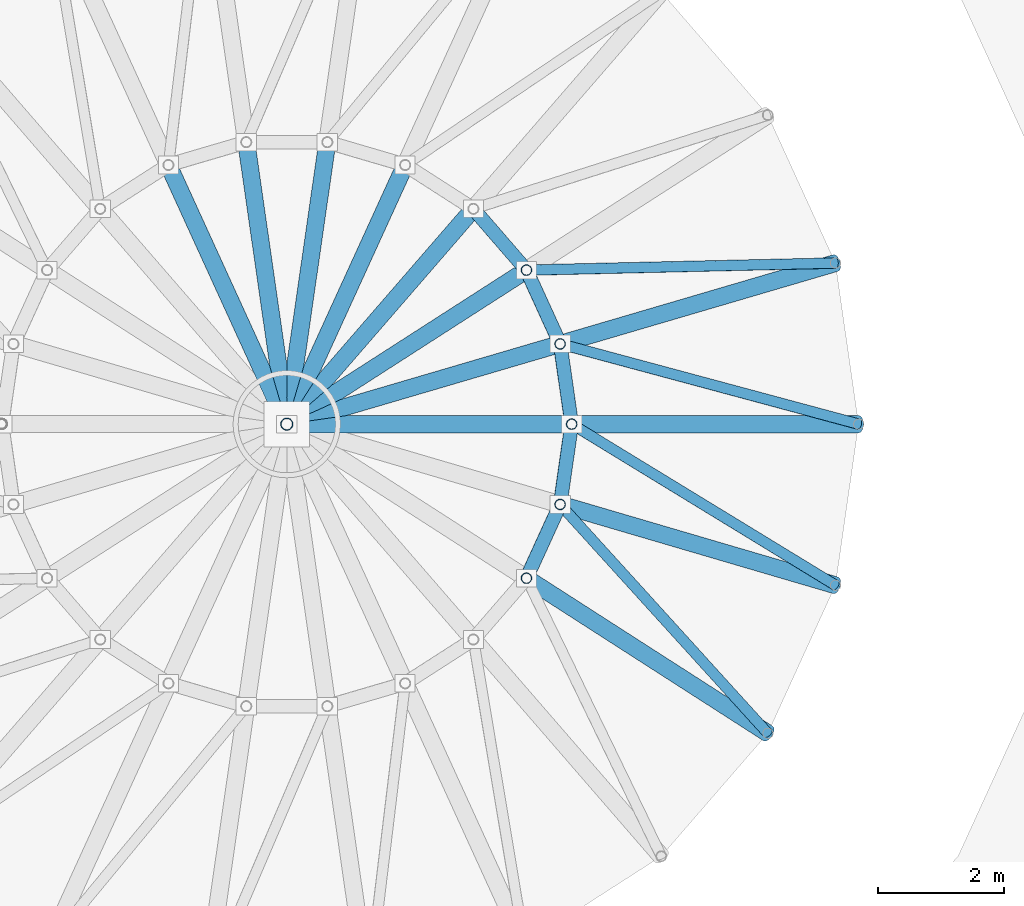
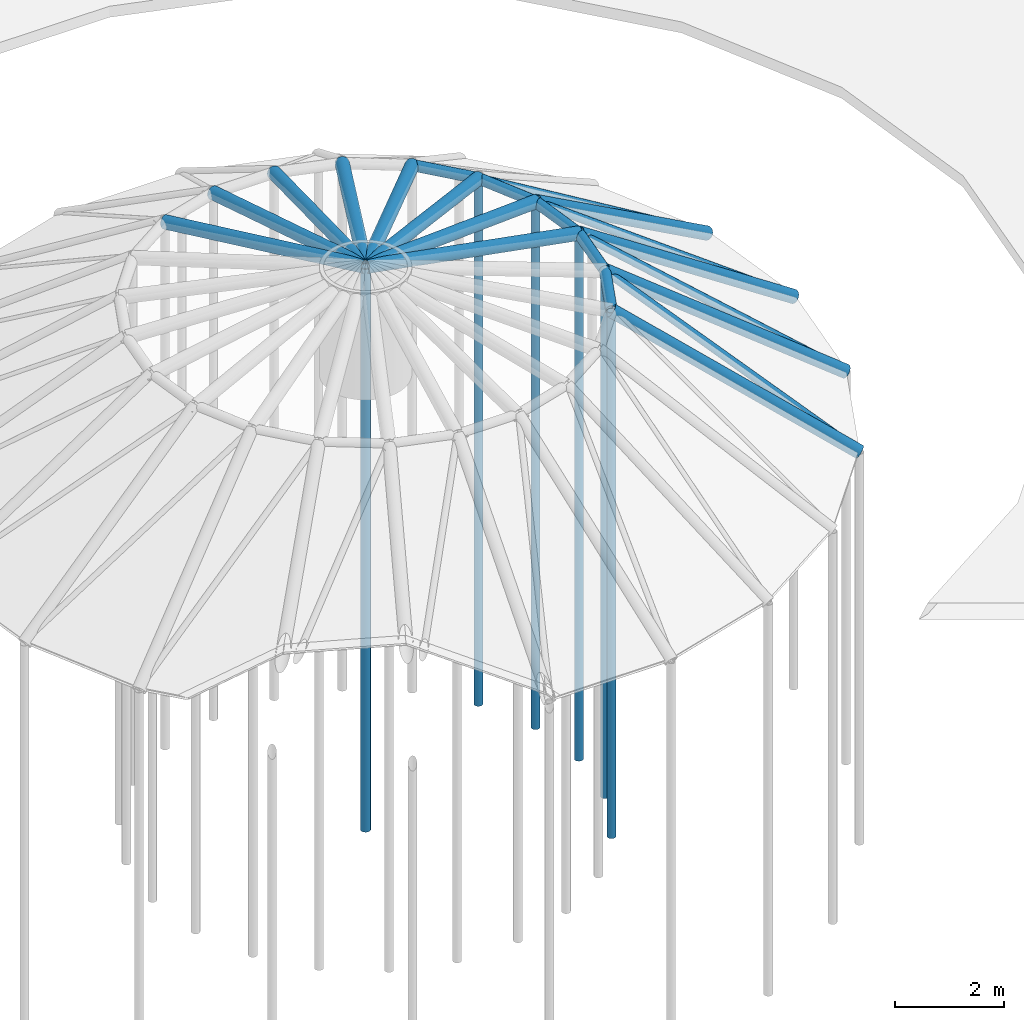
# One storey, part 3 of 8: 17 beams, 10 members.
"""IFC4 building model written with IfcOpenShell, lengths in metres."""

from ifc_helpers import new_model, si_unit, direction, frame, origin, origin_2d, place, context, subcontext, project, spatial, hollow_circle, extrude, material, material_profile, profile_set, type_object, element, save


model = new_model("IFC4")

# Units and contexts
model_context = context("Model", 3, precision=1e-05, world=origin(), true_north=direction((0.0, 1.0)))
body_context = subcontext(model_context, "Body", "Model", "MODEL_VIEW")
ifc_project = project(units=[si_unit("LENGTHUNIT", "METRE"), si_unit("AREAUNIT", "SQUARE_METRE"), si_unit("VOLUMEUNIT", "CUBIC_METRE"), si_unit("PLANEANGLEUNIT", "RADIAN"), si_unit("MASSUNIT", "GRAM", prefix="KILO")], contexts=[model_context])

# Site, building, storey
site_placement = place(None, origin())
site = spatial("IfcSite", under=ifc_project, at=site_placement, CompositionType="ELEMENT")
building_placement = place(site_placement, origin())
building = spatial("IfcBuilding", under=site, at=building_placement, Name="Pelvatis Terrace Science Centre", CompositionType="ELEMENT")
storey_placement = place(building_placement, frame((0.0, 0.0, 28.800048828125)))
storey = spatial("IfcBuildingStorey", under=building, at=storey_placement, Name="RF", CompositionType="ELEMENT", Elevation=28.800048828125)

# Beams
ifc_material_1 = material(Name="Structural steel S355", Category="steel")
ifc_material_profile_1 = material_profile(ifc_material_1, hollow_circle(Radius=0.136474609375, WallThickness=0.010009765625, at=origin_2d()), Name="CHS 273.0x10.0")
ifc_profile_set_1 = profile_set([ifc_material_profile_1], Name="Structural steel S355")
beam_type_1 = type_object("IfcBeamType", Name="BM-DOME-CHS273", PredefinedType="BEAM", material=ifc_profile_set_1)
beam_1_placement = place(storey_placement, frame((118.263671875, 85.800048828125, -1.447265625), z_axis=(-0.833904939905, 0.0, 0.551908100323), x_axis=(0.0, -1.0, 0.0)))
element("IfcBeam", 1, at=beam_1_placement, inside=storey, type_object=beam_type_1, Name="Planetarium meridional dome rib 01.3", PredefinedType="BEAM", context=body_context, shape_type="SweptSolid", body=[
    extrude(hollow_circle(Radius=0.136474609375, WallThickness=0.010009765625, at=origin_2d()), origin(), (0.0, 0.0, 1.0), 5.454345703125),
])
beam_2_placement = place(storey_placement, frame((113.71533203125, 85.800048828125, 1.56298828125), z_axis=(-0.983253437061, 0.0, 0.182243459435), x_axis=(0.0, -1.0, 0.0)))
element("IfcBeam", 2, at=beam_2_placement, inside=storey, type_object=beam_type_1, Name="Planetarium meridional dome rib 01.4", PredefinedType="BEAM", context=body_context, shape_type="SweptSolid", body=[
    extrude(hollow_circle(Radius=0.136474609375, WallThickness=0.010009765625, at=origin_2d()), origin(), (0.0, 0.0, 1.0), 4.59228515625),
])
beam_3_placement = place(storey_placement, frame((117.896484375, 88.353515625, -1.447265625), z_axis=(-0.800117514177, -0.234954787799, 0.551913227961), x_axis=(0.281753630104, -0.959486785695, 0.0)))
element("IfcBeam", 3, at=beam_3_placement, inside=storey, type_object=beam_type_1, Name="Planetarium meridional dome rib 02.3", PredefinedType="BEAM", context=body_context, shape_type="SweptSolid", body=[
    extrude(hollow_circle(Radius=0.136474609375, WallThickness=0.010009765625, at=origin_2d()), origin(), (0.0, 0.0, 1.0), 5.4541015625),
])
for number, where, z_axis, x_axis, name in (
    (4, (113.532470703125, 87.072021484375, 1.56298828125), (-0.943434743403, -0.276980447038, 0.182243564769), (0.281697924561, -0.959503141891, 0.0), "Planetarium meridional dome rib 02.4"),
    (5, (112.99853515625, 88.2412109375, 1.56298828125), (-0.82716924602, -0.531580775818, 0.182244114362), (0.540634613019, -0.841257520148, 0.0), "Planetarium meridional dome rib 03.4"),
    (6, (112.156982421875, 89.21240234375, 1.56298828125), (-0.643919949222, -0.74307043678, 0.182245507425), (0.755726545812, -0.654887309356, 0.0), "Planetarium meridional dome rib 04.4"),
    (7, (111.07568359375, 89.907470703125, 1.56298828125), (-0.408446861698, -0.894404529637, 0.18224077078), (0.909637375903, -0.415403231043, 0.0), "Planetarium meridional dome rib 05.4"),
    (8, (109.842529296875, 90.26953125, 1.56298828125), (-0.139923839948, -0.973246860912, 0.182241232272), (0.989822578424, -0.142306933217, 0.0), "Planetarium meridional dome rib 06.4"),
    (9, (108.557373046875, 90.26953125, 1.56298828125), (0.139923839948, -0.973246860912, 0.182241232272), (0.989822578424, 0.142306933217, 0.0), "Planetarium meridional dome rib 07.4"),
    (10, (107.32421875, 89.907470703125, 1.56298828125), (0.408446861698, -0.894404529637, 0.18224077078), (0.909637375903, 0.415403231043, 0.0), "Planetarium meridional dome rib 08.4"),
):
    element("IfcBeam", number, at=place(storey_placement, frame(where, z_axis=z_axis, x_axis=x_axis)), inside=storey, type_object=beam_type_1, Name=name, PredefinedType="BEAM", context=body_context, shape_type="SweptSolid", body=[
        extrude(hollow_circle(Radius=0.136474609375, WallThickness=0.010009765625, at=origin_2d()), origin(), (0.0, 0.0, 1.0), 4.59228515625),
    ])
beam_4_placement = place(storey_placement, frame((116.824951171875, 80.89990234375, -1.447265625), z_axis=(-0.701537590524, 0.4508317879, 0.551901900795), x_axis=(-0.540624654111, -0.841263920163, 0.0)))
element("IfcBeam", 11, at=beam_4_placement, inside=storey, type_object=beam_type_1, Name="Planetarium meridional dome rib 21.3", PredefinedType="BEAM", context=body_context, shape_type="SweptSolid", body=[
    extrude(hollow_circle(Radius=0.136474609375, WallThickness=0.010009765625, at=origin_2d()), origin(), (0.0, 0.0, 1.0), 5.454345703125),
])
beam_5_placement = place(storey_placement, frame((117.896484375, 83.24658203125, -1.447265625), z_axis=(-0.800125928347, 0.234912496334, 0.551919031973), x_axis=(-0.281704212601, -0.95950129578, 0.0)))
element("IfcBeam", 12, at=beam_5_placement, inside=storey, type_object=beam_type_1, Name="Planetarium meridional dome rib 22.3", PredefinedType="BEAM", context=body_context, shape_type="SweptSolid", body=[
    extrude(hollow_circle(Radius=0.136474609375, WallThickness=0.010009765625, at=origin_2d()), origin(), (0.0, 0.0, 1.0), 5.4541015625),
])
ifc_material_2 = material(Name="Structural steel S355", Category="steel")
ifc_material_profile_2 = material_profile(ifc_material_2, hollow_circle(Radius=0.109619140625, WallThickness=0.008056640625, at=origin_2d()), Name="CHS 219.1x8.0")
ifc_profile_set_2 = profile_set([ifc_material_profile_2], Name="Structural steel S355")
beam_type_2 = type_object("IfcBeamType", Name="BM-HOOP-CHS219", PredefinedType="BEAM", material=ifc_profile_set_2)
beam_6_placement = place(storey_placement, frame((113.71533203125, 85.800048828125, 1.56298828125), z_axis=(-0.142299033002, 0.989823714207, 0.0), x_axis=(-0.989823714207, -0.142299033002, 0.0)))
element("IfcBeam", 13, at=beam_6_placement, inside=storey, type_object=beam_type_2, Name="Planetarium dome hoop ring 4.01", PredefinedType="BEAM", context=body_context, shape_type="SweptSolid", body=[
    extrude(hollow_circle(Radius=0.109619140625, WallThickness=0.008056640625, at=origin_2d()), origin(), (0.0, 0.0, 1.0), 1.28515625),
])
beam_7_placement = place(storey_placement, frame((113.532470703125, 87.072021484375, 1.56298828125), z_axis=(-0.415405108743, 0.909636518413, 0.0), x_axis=(-0.909636518413, -0.415405108743, 0.0)))
element("IfcBeam", 14, at=beam_7_placement, inside=storey, type_object=beam_type_2, Name="Planetarium dome hoop ring 4.02", PredefinedType="BEAM", context=body_context, shape_type="SweptSolid", body=[
    extrude(hollow_circle(Radius=0.109619140625, WallThickness=0.008056640625, at=origin_2d()), origin(), (0.0, 0.0, 1.0), 1.285400390625),
])
for number, where, z_axis, x_axis, name in (
    (15, (112.99853515625, 88.2412109375, 1.56298828125), (-0.654865440882, 0.755745495744, 0.0), (-0.755745495744, -0.654865440882, 0.0), "Planetarium dome hoop ring 4.03"),
    (16, (112.99853515625, 83.35888671875, 1.56298828125), (0.415476893128, 0.909603733104, 0.0), (-0.909603733104, 0.415476893128, 0.0), "Planetarium dome hoop ring 4.21"),
):
    element("IfcBeam", number, at=place(storey_placement, frame(where, z_axis=z_axis, x_axis=x_axis)), inside=storey, type_object=beam_type_2, Name=name, PredefinedType="BEAM", context=body_context, shape_type="SweptSolid", body=[
        extrude(hollow_circle(Radius=0.109619140625, WallThickness=0.008056640625, at=origin_2d()), origin(), (0.0, 0.0, 1.0), 1.28515625),
    ])
beam_8_placement = place(storey_placement, frame((113.532470703125, 84.52783203125, 1.56298828125), z_axis=(0.142272278362, 0.989827560138, 0.0), x_axis=(-0.989827560138, 0.142272278362, 0.0)))
element("IfcBeam", 17, at=beam_8_placement, inside=storey, type_object=beam_type_2, Name="Planetarium dome hoop ring 4.22", PredefinedType="BEAM", context=body_context, shape_type="SweptSolid", body=[
    extrude(hollow_circle(Radius=0.109619140625, WallThickness=0.008056640625, at=origin_2d()), origin(), (0.0, 0.0, 1.0), 1.285400390625),
])

# Members
ifc_material_3 = material(Name="Structural steel S355", Category="steel")
ifc_material_profile_3 = material_profile(ifc_material_3, hollow_circle(Radius=0.084228515625, WallThickness=0.00634765625, at=origin_2d()), Name="CHS 168.3x6.3")
ifc_profile_set_3 = profile_set([ifc_material_profile_3], Name="Structural steel S355")
member_type_1 = type_object("IfcMemberType", Name="MEM-BRC-CHS168", PredefinedType="BRACE", material=ifc_profile_set_3)
member_1_placement = place(storey_placement, frame((118.263671875, 85.800048828125, -1.447265625), z_axis=(-0.822801325304, 0.22120826177, 0.523512066722), x_axis=(-0.259628545607, -0.965708557643, 0.0)))
element("IfcMember", 18, at=member_1_placement, inside=storey, type_object=member_type_1, Name="Planetarium dome lateral brace 3.01", PredefinedType="BRACE", context=body_context, shape_type="SweptSolid", body=[
    extrude(hollow_circle(Radius=0.084228515625, WallThickness=0.00634765625, at=origin_2d()), origin(), (0.0, 0.0, 1.0), 5.75),
])
for number, where, z_axis, x_axis, name in (
    (19, (117.896484375, 88.353515625, -1.447265625), (-0.851796033613, -0.019530763407, 0.523509375658), (0.02292289545, -0.99973723591, 0.0), "Planetarium dome lateral brace 3.02"),
    (20, (116.824951171875, 80.89990234375, -1.447265625), (-0.572592916019, 0.630930648973, 0.523511097028), (-0.740512541941, -0.672042539746, 0.0), "Planetarium dome lateral brace 3.21"),
):
    element("IfcMember", number, at=place(storey_placement, frame(where, z_axis=z_axis, x_axis=x_axis)), inside=storey, type_object=member_type_1, Name=name, PredefinedType="BRACE", context=body_context, shape_type="SweptSolid", body=[
        extrude(hollow_circle(Radius=0.084228515625, WallThickness=0.00634765625, at=origin_2d()), origin(), (0.0, 0.0, 1.0), 5.750244140625),
    ])
member_2_placement = place(storey_placement, frame((117.896484375, 83.24658203125, -1.447265625), z_axis=(-0.72714201625, 0.444072074504, 0.523511681675), x_axis=(-0.521200039779, -0.853434542619, 0.0)))
element("IfcMember", 21, at=member_2_placement, inside=storey, type_object=member_type_1, Name="Planetarium dome lateral brace 3.22", PredefinedType="BRACE", context=body_context, shape_type="SweptSolid", body=[
    extrude(hollow_circle(Radius=0.084228515625, WallThickness=0.00634765625, at=origin_2d()), origin(), (0.0, 0.0, 1.0), 5.75),
])
ifc_material_4 = material(Name="Structural steel S355", Category="steel")
ifc_material_profile_4 = material_profile(ifc_material_4, hollow_circle(Radius=0.084228515625, WallThickness=0.00634765625, at=origin_2d()), Name="CHS 168.3x6.3")
ifc_profile_set_4 = profile_set([ifc_material_profile_4], Name="Structural steel S355")
member_type_2 = type_object("IfcMemberType", Name="MEM-STR-CHS168", PredefinedType="STRUT", material=ifc_profile_set_4)
for number, where, z_axis, x_axis, name in (
    (22, (113.71533203125, 85.800048828125, -10.199951171875), (0.0, 0.0, 1.0), (1.0, 0.0, 0.0), "Dome arch vertical web post 3.01"),
    (23, (113.532470703125, 87.072021484375, -10.199951171875), (0.0, 0.0, 1.0), (1.0, 0.0, 0.0), "Dome arch vertical web post 3.02"),
    (24, (112.99853515625, 88.2412109375, -10.199951171875), (0.0, 0.0, 1.0), (1.0, 0.0, 0.0), "Dome arch vertical web post 3.03"),
    (25, (112.99853515625, 83.35888671875, -10.199951171875), (0.0, 0.0, 1.0), (1.0, 0.0, 0.0), "Dome arch vertical web post 3.21"),
    (26, (113.532470703125, 84.52783203125, -10.199951171875), (0.0, 0.0, 1.0), (1.0, 0.0, 0.0), "Dome arch vertical web post 3.22"),
):
    element("IfcMember", number, at=place(storey_placement, frame(where, z_axis=z_axis, x_axis=x_axis)), inside=storey, type_object=member_type_2, Name=name, PredefinedType="STRUT", context=body_context, shape_type="SweptSolid", body=[
        extrude(hollow_circle(Radius=0.084228515625, WallThickness=0.00634765625, at=origin_2d()), origin(), (0.0, 0.0, 1.0), 11.762939453125),
    ])
ifc_material_5 = material(Name="Structural steel S355", Category="steel")
ifc_material_profile_5 = material_profile(ifc_material_5, hollow_circle(Radius=0.096923828125, WallThickness=0.008056640625, at=origin_2d()), Name="CHS 193.7x8.0")
ifc_profile_set_5 = profile_set([ifc_material_profile_5], Name="Structural steel S355")
member_type_3 = type_object("IfcMemberType", Name="MEM-STR-CHS194", PredefinedType="STRUT", material=ifc_profile_set_5)
member_3_placement = place(storey_placement, frame((109.199951171875, 85.800048828125, -10.199951171875), z_axis=(0.0, 0.0, 1.0), x_axis=(1.0, 0.0, 0.0)))
element("IfcMember", 27, at=member_3_placement, inside=storey, type_object=member_type_3, Name="Dome crown king post", PredefinedType="STRUT", context=body_context, shape_type="SweptSolid", body=[
    extrude(hollow_circle(Radius=0.096923828125, WallThickness=0.008056640625, at=origin_2d()), origin(), (0.0, 0.0, 1.0), 12.599853515625),
])

save(model, "model.ifc")
